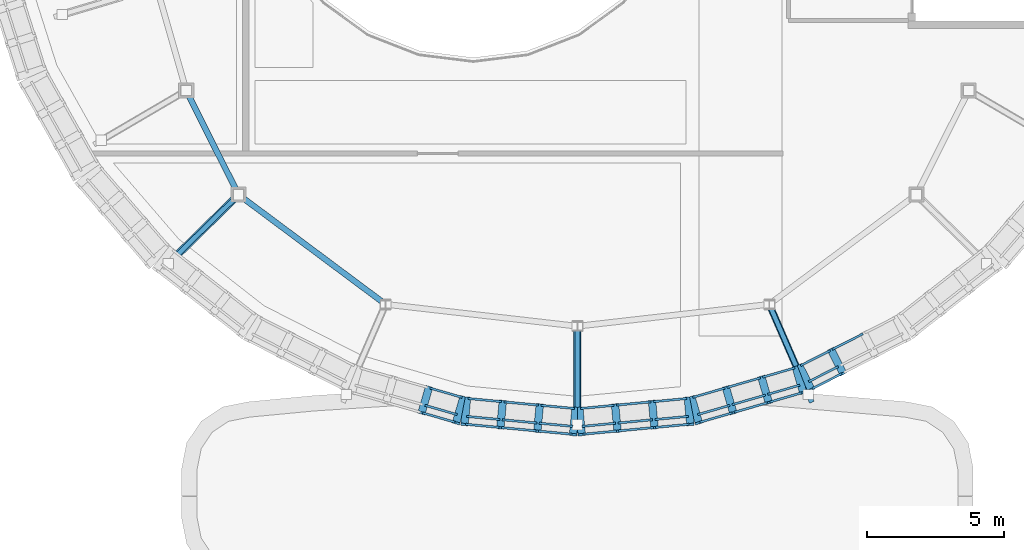
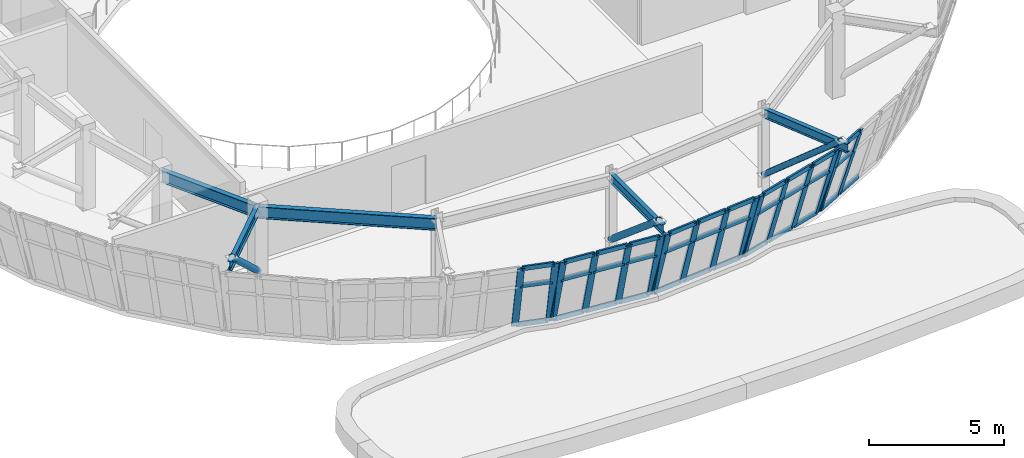
# One storey, part 19 of 111: 53 members, 5 beams, 5 elements without a shape of their own.
"""IFC4 building model written with IfcOpenShell, lengths in metres."""

from ifc_helpers import new_model, si_unit, direction, frame, origin, origin_2d, place, context, subcontext, project, spatial, rectangle, hollow_circle, i_section, extrude, material, material_profile, profile_set, type_object, element, aggregate, save


model = new_model("IFC4")

# Units and contexts
model_context = context("Model", 3, precision=1e-05, world=origin(), true_north=direction((0.0, 1.0)))
body_context = subcontext(model_context, "Body", "Model", "MODEL_VIEW")
ifc_project = project(units=[si_unit("LENGTHUNIT", "METRE"), si_unit("AREAUNIT", "SQUARE_METRE"), si_unit("VOLUMEUNIT", "CUBIC_METRE"), si_unit("PLANEANGLEUNIT", "RADIAN"), si_unit("MASSUNIT", "GRAM", prefix="KILO")], contexts=[model_context])

# Site, building, storey
site_placement = place(None, origin())
site = spatial("IfcSite", under=ifc_project, at=site_placement, CompositionType="ELEMENT")
building_placement = place(site_placement, origin())
building = spatial("IfcBuilding", under=site, at=building_placement, Name="Corveleigh Park Community Centre", CompositionType="ELEMENT")
storey_placement = place(building_placement, frame((0.0, 0.0, 4.800048828125)))
storey = spatial("IfcBuildingStorey", under=building, at=storey_placement, Name="L01", CompositionType="ELEMENT", Elevation=4.800048828125)

# Beams
ifc_material_1 = material(Name="Steel S355", Category="steel")
ifc_material_profile_1 = material_profile(ifc_material_1, i_section(OverallWidth=0.1787109375, OverallDepth=0.409423828125, WebThickness=0.0087890625, FlangeThickness=0.014404296875, at=origin_2d()), Name="UKB 406x178x67", Category="steel")
ifc_profile_set_1 = profile_set([ifc_material_profile_1], Name="Steel S355")
beam_type_1 = type_object("IfcBeamType", Name="BM-STL-UKB406x67", PredefinedType="BEAM", material=ifc_profile_set_1)
beam_1_placement = place(storey_placement, frame((31.0, 10.590087890625, 3.482177734375), z_axis=(0.0, -1.0, 0.0), x_axis=(1.0, 0.0, 0.0)))
element("IfcBeam", 1, at=beam_1_placement, inside=storey, type_object=beam_type_1, Name="V1 Drum Overhang Radial Outrigger 2", PredefinedType="BEAM", context=body_context, shape_type="SweptSolid", body=[
    extrude(i_section(OverallWidth=0.1787109375, OverallDepth=0.409423828125, WebThickness=0.0087890625, FlangeThickness=0.014404296875, at=origin_2d()), origin(), (0.0, 0.0, 1.0), 3.89013671875),
])
beam_2_placement = place(storey_placement, frame((38.00390625, 11.390869140625, 3.482177734375), z_axis=(0.398255557159, -0.917274501549, 0.0), x_axis=(0.917274501549, 0.398255557159, 0.0)))
element("IfcBeam", 2, at=beam_2_placement, inside=storey, type_object=beam_type_1, Name="V1 Drum Overhang Radial Outrigger 3", PredefinedType="BEAM", context=body_context, shape_type="SweptSolid", body=[
    extrude(i_section(OverallWidth=0.1787109375, OverallDepth=0.409423828125, WebThickness=0.0087890625, FlangeThickness=0.014404296875, at=origin_2d()), origin(), (0.0, 0.0, 1.0), 3.8896484375),
])
beam_3_placement = place(storey_placement, frame((18.626953125, 15.39306640625, 3.482177734375), z_axis=(-0.713355146879, -0.700802707202, 0.0), x_axis=(0.700802707202, -0.713355146879, 0.0)))
element("IfcBeam", 3, at=beam_3_placement, inside=storey, type_object=beam_type_1, Name="V1 Drum Overhang Radial Outrigger 20", PredefinedType="BEAM", context=body_context, shape_type="SweptSolid", body=[
    extrude(i_section(OverallWidth=0.1787109375, OverallDepth=0.409423828125, WebThickness=0.0087890625, FlangeThickness=0.014404296875, at=origin_2d()), origin(), (0.0, 0.0, 1.0), 3.889892578125),
])
ifc_material_profile_2 = material_profile(ifc_material_1, i_section(OverallWidth=0.210693359375, OverallDepth=0.53955078125, WebThickness=0.01171875, FlangeThickness=0.018798828125, at=origin_2d()), Name="UKB 533x210x109", Category="steel")
ifc_profile_set_2 = profile_set([ifc_material_profile_2], Name="Steel S355")
beam_type_2 = type_object("IfcBeamType", Name="BM-STL-UKB533x109", PredefinedType="BEAM", material=ifc_profile_set_2)
beam_4_placement = place(storey_placement, frame((16.727294921875, 19.195556640625, 3.34228515625), z_axis=(0.448916145361, -0.893573888626, 0.0), x_axis=(0.893573888626, 0.448916145361, 0.0)))
element("IfcBeam", 4, at=beam_4_placement, inside=storey, type_object=beam_type_2, Name="V1 Drum Ring Girder", PredefinedType="BEAM", context=body_context, shape_type="SweptSolid", body=[
    extrude(i_section(OverallWidth=0.210693359375, OverallDepth=0.53955078125, WebThickness=0.01171875, FlangeThickness=0.018798828125, at=origin_2d()), origin(), (0.0, 0.0, 1.0), 4.242431640625),
])
beam_5_placement = place(storey_placement, frame((18.637939453125, 15.39697265625, 3.34228515625), z_axis=(0.801771961873, -0.597630087223, 0.0), x_axis=(0.597630087223, 0.801771961873, 0.0)))
element("IfcBeam", 5, at=beam_5_placement, inside=storey, type_object=beam_type_2, Name="V1 Drum Ring Girder", PredefinedType="BEAM", context=body_context, shape_type="SweptSolid", body=[
    extrude(i_section(OverallWidth=0.210693359375, OverallDepth=0.53955078125, WebThickness=0.01171875, FlangeThickness=0.018798828125, at=origin_2d()), origin(), (0.0, 0.0, 1.0), 6.682861328125),
])

# Curtain wall, members
ifc_material_2 = material(Name="Anodised aluminium 6063-T6", Category="aluminium")
curtain_wall_type = type_object("IfcCurtainWallType", Name="CW-SYS-V1-DRUM", PredefinedType="NOTDEFINED", material=ifc_material_2)
curtain_wall_1_placement = place(storey_placement, origin())
curtain_wall_1 = element("IfcCurtainWall", 6, at=curtain_wall_1_placement, inside=storey, type_object=curtain_wall_type, Name="Main Hall Flared Drum CW 184", PredefinedType="NOTDEFINED")
ifc_material_profile_3 = material_profile(ifc_material_2, rectangle(XDim=0.0849609375, YDim=0.27490234375, at=origin_2d()), Name="ALU-M85x275", Category="aluminium")
ifc_profile_set_3 = profile_set([ifc_material_profile_3], Name="Anodised aluminium 6063-T6")
member_type_1 = type_object("IfcMemberType", Name="CWM-85x275", PredefinedType="MULLION", material=ifc_profile_set_3)
member_1_placement = place(storey_placement, frame((25.58203125, 8.36572265625, 0.0), z_axis=(-0.078775805261, -0.27274061785, 0.958857094608), x_axis=(0.266071208259, 0.92120195398, 0.283889189861)))
member_1 = element("IfcMember", 7, at=member_1_placement, type_object=member_type_1, Name="CW02 mullion 3", PredefinedType="MULLION", context=body_context, shape_type="SweptSolid", body=[
    extrude(rectangle(XDim=0.0849609375, YDim=0.27490234375, at=origin_2d()), origin(), (0.0, 0.0, 1.0), 3.406005859375),
])
member_2_placement = place(storey_placement, frame((26.838134765625, 8.002685546875, 0.0), z_axis=(-0.078775805261, -0.27274061785, 0.958857094608), x_axis=(0.266071208259, 0.92120195398, 0.283889189861)))
member_2 = element("IfcMember", 8, at=member_2_placement, type_object=member_type_1, Name="CW02 mullion 4", PredefinedType="MULLION", context=body_context, shape_type="SweptSolid", body=[
    extrude(rectangle(XDim=0.0849609375, YDim=0.27490234375, at=origin_2d()), origin(), (0.0, 0.0, 1.0), 3.406005859375),
])

curtain_wall_2_placement = place(storey_placement, origin())
curtain_wall_2 = element("IfcCurtainWall", 9, at=curtain_wall_2_placement, inside=storey, type_object=curtain_wall_type, Name="Main Hall Flared Drum CW 185", PredefinedType="NOTDEFINED")
member_3_placement = place(storey_placement, frame((26.97021484375, 7.97802734375, 0.0), z_axis=(-0.026521540963, -0.282633610853, 0.958861225559), x_axis=(0.089583288595, 0.954667316025, 0.283875236889)))
member_3 = element("IfcMember", 10, at=member_3_placement, type_object=member_type_1, Name="CW02 mullion 1", PredefinedType="MULLION", context=body_context, shape_type="SweptSolid", body=[
    extrude(rectangle(XDim=0.0849609375, YDim=0.27490234375, at=origin_2d()), origin(), (0.0, 0.0, 1.0), 3.406005859375),
])
member_4_placement = place(storey_placement, frame((28.277099609375, 7.855224609375, 0.0), z_axis=(-0.02659317018, -0.282633072825, 0.958859400249), x_axis=(0.089823112769, 0.954642947838, 0.28388140227)))
member_4 = element("IfcMember", 11, at=member_4_placement, type_object=member_type_1, Name="CW02 mullion 2", PredefinedType="MULLION", context=body_context, shape_type="SweptSolid", body=[
    extrude(rectangle(XDim=0.0849609375, YDim=0.27490234375, at=origin_2d()), origin(), (0.0, 0.0, 1.0), 3.406005859375),
])
member_5_placement = place(storey_placement, frame((29.6259765625, 7.728759765625, 0.0), z_axis=(-0.026521003607, -0.282699562777, 0.95884179799), x_axis=(0.089558958365, 0.954650085921, 0.283940850226)))
member_5 = element("IfcMember", 12, at=member_5_placement, type_object=member_type_1, Name="CW02 mullion 3", PredefinedType="MULLION", context=body_context, shape_type="SweptSolid", body=[
    extrude(rectangle(XDim=0.0849609375, YDim=0.27490234375, at=origin_2d()), origin(), (0.0, 0.0, 1.0), 3.406005859375),
])
member_6_placement = place(storey_placement, frame((30.9326171875, 7.60595703125, 0.0), z_axis=(-0.026521540963, -0.282633610853, 0.958861225559), x_axis=(0.089583288595, 0.954667316025, 0.283875236889)))
member_6 = element("IfcMember", 13, at=member_6_placement, type_object=member_type_1, Name="CW02 mullion 4", PredefinedType="MULLION", context=body_context, shape_type="SweptSolid", body=[
    extrude(rectangle(XDim=0.0849609375, YDim=0.27490234375, at=origin_2d()), origin(), (0.0, 0.0, 1.0), 3.406005859375),
])

curtain_wall_3_placement = place(storey_placement, origin())
curtain_wall_3 = element("IfcCurtainWall", 14, at=curtain_wall_3_placement, inside=storey, type_object=curtain_wall_type, Name="Main Hall Flared Drum CW 186", PredefinedType="NOTDEFINED")
member_7_placement = place(storey_placement, frame((31.0673828125, 7.60595703125, 0.0), z_axis=(0.026521540963, -0.282633610853, 0.958861225559), x_axis=(-0.089583288595, 0.954667316025, 0.283875236889)))
member_7 = element("IfcMember", 15, at=member_7_placement, type_object=member_type_1, Name="CW02 mullion 1", PredefinedType="MULLION", context=body_context, shape_type="SweptSolid", body=[
    extrude(rectangle(XDim=0.0849609375, YDim=0.27490234375, at=origin_2d()), origin(), (0.0, 0.0, 1.0), 3.406005859375),
])
member_8_placement = place(storey_placement, frame((32.3740234375, 7.728759765625, 0.0), z_axis=(0.026521003607, -0.282699562777, 0.95884179799), x_axis=(-0.089558958365, 0.954650085921, 0.283940850226)))
member_8 = element("IfcMember", 16, at=member_8_placement, type_object=member_type_1, Name="CW02 mullion 2", PredefinedType="MULLION", context=body_context, shape_type="SweptSolid", body=[
    extrude(rectangle(XDim=0.0849609375, YDim=0.27490234375, at=origin_2d()), origin(), (0.0, 0.0, 1.0), 3.406005859375),
])
member_9_placement = place(storey_placement, frame((33.722900390625, 7.855224609375, 0.0), z_axis=(0.02659317018, -0.282633072825, 0.958859400249), x_axis=(-0.089823112769, 0.954642947838, 0.28388140227)))
member_9 = element("IfcMember", 17, at=member_9_placement, type_object=member_type_1, Name="CW02 mullion 3", PredefinedType="MULLION", context=body_context, shape_type="SweptSolid", body=[
    extrude(rectangle(XDim=0.0849609375, YDim=0.27490234375, at=origin_2d()), origin(), (0.0, 0.0, 1.0), 3.406005859375),
])
member_10_placement = place(storey_placement, frame((35.02978515625, 7.97802734375, 0.0), z_axis=(0.026521540963, -0.282633610853, 0.958861225559), x_axis=(-0.089583288595, 0.954667316025, 0.283875236889)))
member_10 = element("IfcMember", 18, at=member_10_placement, type_object=member_type_1, Name="CW02 mullion 4", PredefinedType="MULLION", context=body_context, shape_type="SweptSolid", body=[
    extrude(rectangle(XDim=0.0849609375, YDim=0.27490234375, at=origin_2d()), origin(), (0.0, 0.0, 1.0), 3.406005859375),
])

curtain_wall_4_placement = place(storey_placement, origin())
curtain_wall_4 = element("IfcCurtainWall", 19, at=curtain_wall_4_placement, inside=storey, type_object=curtain_wall_type, Name="Main Hall Flared Drum CW 187", PredefinedType="NOTDEFINED")
member_11_placement = place(storey_placement, frame((35.161865234375, 8.002685546875, 0.0), z_axis=(0.078775805261, -0.27274061785, 0.958857094608), x_axis=(-0.266071208259, 0.92120195398, 0.283889189861)))
member_11 = element("IfcMember", 20, at=member_11_placement, type_object=member_type_1, Name="CW02 mullion 1", PredefinedType="MULLION", context=body_context, shape_type="SweptSolid", body=[
    extrude(rectangle(XDim=0.0849609375, YDim=0.27490234375, at=origin_2d()), origin(), (0.0, 0.0, 1.0), 3.406005859375),
])
member_12_placement = place(storey_placement, frame((36.41796875, 8.36572265625, 0.0), z_axis=(0.078775805261, -0.27274061785, 0.958857094608), x_axis=(-0.266071208259, 0.92120195398, 0.283889189861)))
member_12 = element("IfcMember", 21, at=member_12_placement, type_object=member_type_1, Name="CW02 mullion 2", PredefinedType="MULLION", context=body_context, shape_type="SweptSolid", body=[
    extrude(rectangle(XDim=0.0849609375, YDim=0.27490234375, at=origin_2d()), origin(), (0.0, 0.0, 1.0), 3.406005859375),
])
member_13_placement = place(storey_placement, frame((37.715087890625, 8.740234375, 0.0), z_axis=(0.078775805261, -0.27274061785, 0.958857094608), x_axis=(-0.266071208259, 0.92120195398, 0.283889189861)))
member_13 = element("IfcMember", 22, at=member_13_placement, type_object=member_type_1, Name="CW02 mullion 3", PredefinedType="MULLION", context=body_context, shape_type="SweptSolid", body=[
    extrude(rectangle(XDim=0.0849609375, YDim=0.27490234375, at=origin_2d()), origin(), (0.0, 0.0, 1.0), 3.406005859375),
])
member_14_placement = place(storey_placement, frame((38.97119140625, 9.103271484375, 0.0), z_axis=(0.078774265043, -0.272806963379, 0.958838347115), x_axis=(-0.266001479913, 0.921202577386, 0.283952503249)))
member_14 = element("IfcMember", 23, at=member_14_placement, type_object=member_type_1, Name="CW02 mullion 4", PredefinedType="MULLION", context=body_context, shape_type="SweptSolid", body=[
    extrude(rectangle(XDim=0.0849609375, YDim=0.27490234375, at=origin_2d()), origin(), (0.0, 0.0, 1.0), 3.406005859375),
])

curtain_wall_5_placement = place(storey_placement, origin())
curtain_wall_5 = element("IfcCurtainWall", 24, at=curtain_wall_5_placement, inside=storey, type_object=curtain_wall_type, Name="Main Hall Flared Drum CW 188", PredefinedType="NOTDEFINED")
member_15_placement = place(storey_placement, frame((39.095947265625, 9.15234375, 0.0), z_axis=(0.128806701095, -0.25302596264, 0.958846544544), x_axis=(-0.434994939137, 0.854497571037, 0.283924821065)))
member_15 = element("IfcMember", 25, at=member_15_placement, type_object=member_type_1, Name="CW02 mullion 1", PredefinedType="MULLION", context=body_context, shape_type="SweptSolid", body=[
    extrude(rectangle(XDim=0.0849609375, YDim=0.27490234375, at=origin_2d()), origin(), (0.0, 0.0, 1.0), 3.406005859375),
])
member_16_placement = place(storey_placement, frame((40.253662109375, 9.741943359375, 0.0), z_axis=(0.128879526709, -0.252956534902, 0.958855077186), x_axis=(-0.435288932885, 0.854357421664, 0.283896003766)))
member_16 = element("IfcMember", 26, at=member_16_placement, type_object=member_type_1, Name="CW02 mullion 2", PredefinedType="MULLION", context=body_context, shape_type="SweptSolid", body=[
    extrude(rectangle(XDim=0.0849609375, YDim=0.27490234375, at=origin_2d()), origin(), (0.0, 0.0, 1.0), 3.406005859375),
])

# Member
ifc_material_profile_4 = material_profile(ifc_material_2, rectangle(XDim=0.080078125, YDim=0.195068359375, at=origin_2d()), Name="ALU-T80x195", Category="aluminium")
ifc_profile_set_4 = profile_set([ifc_material_profile_4], Name="Anodised aluminium 6063-T6")
member_type_2 = type_object("IfcMemberType", Name="CWT-80x195", PredefinedType="USERDEFINED", material=ifc_profile_set_4)
member_17_placement = place(storey_placement, frame((25.61962890625, 8.342529296875, 0.0400390625), z_axis=(0.960690510607, -0.277621582067, 0.0), x_axis=(0.277621582067, 0.960690510607, 0.0)))
member_17 = element("IfcMember", 27, at=member_17_placement, type_object=member_type_2, Name="CW02 transom 3.1", ObjectType="TRANSOM", PredefinedType="USERDEFINED", context=body_context, shape_type="SweptSolid", body=[
    extrude(rectangle(XDim=0.080078125, YDim=0.195068359375, at=origin_2d()), origin(), (0.0, 0.0, 1.0), 1.222412109375),
])

member_18_placement = place(storey_placement, frame((25.43798828125, 7.7138671875, 2.25), z_axis=(0.960705899943, -0.277568322786, 0.0), x_axis=(0.277568322786, 0.960705899943, 0.0)))
member_18 = element("IfcMember", 28, at=member_18_placement, type_object=member_type_2, Name="CW02 transom 3.2", ObjectType="TRANSOM", PredefinedType="USERDEFINED", context=body_context, shape_type="SweptSolid", body=[
    extrude(rectangle(XDim=0.080078125, YDim=0.195068359375, at=origin_2d()), origin(), (0.0, 0.0, 1.0), 1.22265625),
])

member_19_placement = place(storey_placement, frame((25.357666015625, 7.436279296875, 3.225830078125), z_axis=(0.960705899943, -0.277568322786, 0.0), x_axis=(0.277568322786, 0.960705899943, 0.0)))
member_19 = element("IfcMember", 29, at=member_19_placement, type_object=member_type_2, Name="CW02 transom 3.3", ObjectType="TRANSOM", PredefinedType="USERDEFINED", context=body_context, shape_type="SweptSolid", body=[
    extrude(rectangle(XDim=0.080078125, YDim=0.195068359375, at=origin_2d()), origin(), (0.0, 0.0, 1.0), 1.22265625),
])

aggregate(curtain_wall_1, [member_1, member_2, member_17, member_18, member_19])

member_20_placement = place(storey_placement, frame((27.011474609375, 7.962158203125, 0.0400390625), z_axis=(0.995621509716, -0.093476250413, 0.0), x_axis=(0.093476250413, 0.995621509716, 0.0)))
member_20 = element("IfcMember", 30, at=member_20_placement, type_object=member_type_2, Name="CW02 transom 1.1", ObjectType="TRANSOM", PredefinedType="USERDEFINED", context=body_context, shape_type="SweptSolid", body=[
    extrude(rectangle(XDim=0.080078125, YDim=0.195068359375, at=origin_2d()), origin(), (0.0, 0.0, 1.0), 1.2275390625),
])

member_21_placement = place(storey_placement, frame((26.950439453125, 7.310791015625, 2.25), z_axis=(0.995619771375, -0.093494763745, 0.0), x_axis=(0.093494763745, 0.995619771375, 0.0)))
member_21 = element("IfcMember", 31, at=member_21_placement, type_object=member_type_2, Name="CW02 transom 1.2", ObjectType="TRANSOM", PredefinedType="USERDEFINED", context=body_context, shape_type="SweptSolid", body=[
    extrude(rectangle(XDim=0.080078125, YDim=0.195068359375, at=origin_2d()), origin(), (0.0, 0.0, 1.0), 1.227294921875),
])

member_22_placement = place(storey_placement, frame((26.92333984375, 7.023193359375, 3.225830078125), z_axis=(0.995621509716, -0.093476250413, 0.0), x_axis=(0.093476250413, 0.995621509716, 0.0)))
member_22 = element("IfcMember", 32, at=member_22_placement, type_object=member_type_2, Name="CW02 transom 1.3", ObjectType="TRANSOM", PredefinedType="USERDEFINED", context=body_context, shape_type="SweptSolid", body=[
    extrude(rectangle(XDim=0.080078125, YDim=0.195068359375, at=origin_2d()), origin(), (0.0, 0.0, 1.0), 1.2275390625),
])

member_23_placement = place(storey_placement, frame((28.318115234375, 7.839599609375, 0.0400390625), z_axis=(0.995625847483, -0.093430037049, 0.0), x_axis=(0.093430037049, 0.995625847483, 0.0)))
member_23 = element("IfcMember", 33, at=member_23_placement, type_object=member_type_2, Name="CW02 transom 2.1", ObjectType="TRANSOM", PredefinedType="USERDEFINED", context=body_context, shape_type="SweptSolid", body=[
    extrude(rectangle(XDim=0.080078125, YDim=0.195068359375, at=origin_2d()), origin(), (0.0, 0.0, 1.0), 1.27001953125),
])

member_24_placement = place(storey_placement, frame((28.257080078125, 7.18798828125, 2.25), z_axis=(0.995625847483, -0.093430037049, 0.0), x_axis=(0.093430037049, 0.995625847483, 0.0)))
member_24 = element("IfcMember", 34, at=member_24_placement, type_object=member_type_2, Name="CW02 transom 2.2", ObjectType="TRANSOM", PredefinedType="USERDEFINED", context=body_context, shape_type="SweptSolid", body=[
    extrude(rectangle(XDim=0.080078125, YDim=0.195068359375, at=origin_2d()), origin(), (0.0, 0.0, 1.0), 1.27001953125),
])

member_25_placement = place(storey_placement, frame((28.22998046875, 6.900390625, 3.225830078125), z_axis=(0.995625847483, -0.093430037049, 0.0), x_axis=(0.093430037049, 0.995625847483, 0.0)))
member_25 = element("IfcMember", 35, at=member_25_placement, type_object=member_type_2, Name="CW02 transom 2.3", ObjectType="TRANSOM", PredefinedType="USERDEFINED", context=body_context, shape_type="SweptSolid", body=[
    extrude(rectangle(XDim=0.080078125, YDim=0.195068359375, at=origin_2d()), origin(), (0.0, 0.0, 1.0), 1.27001953125),
])

member_26_placement = place(storey_placement, frame((29.667236328125, 7.712890625, 0.0400390625), z_axis=(0.995619771375, -0.093494763745, 0.0), x_axis=(0.093494763745, 0.995619771375, 0.0)))
member_26 = element("IfcMember", 36, at=member_26_placement, type_object=member_type_2, Name="CW02 transom 3.1", ObjectType="TRANSOM", PredefinedType="USERDEFINED", context=body_context, shape_type="SweptSolid", body=[
    extrude(rectangle(XDim=0.080078125, YDim=0.195068359375, at=origin_2d()), origin(), (0.0, 0.0, 1.0), 1.227294921875),
])

member_27_placement = place(storey_placement, frame((29.60595703125, 7.0615234375, 2.25), z_axis=(0.995621509716, -0.093476250413, 0.0), x_axis=(0.093476250413, 0.995621509716, 0.0)))
member_27 = element("IfcMember", 37, at=member_27_placement, type_object=member_type_2, Name="CW02 transom 3.2", ObjectType="TRANSOM", PredefinedType="USERDEFINED", context=body_context, shape_type="SweptSolid", body=[
    extrude(rectangle(XDim=0.080078125, YDim=0.195068359375, at=origin_2d()), origin(), (0.0, 0.0, 1.0), 1.2275390625),
])

member_28_placement = place(storey_placement, frame((29.5791015625, 6.773681640625, 3.225830078125), z_axis=(0.995619771375, -0.093494763745, 0.0), x_axis=(0.093494763745, 0.995619771375, 0.0)))
member_28 = element("IfcMember", 38, at=member_28_placement, type_object=member_type_2, Name="CW02 transom 3.3", ObjectType="TRANSOM", PredefinedType="USERDEFINED", context=body_context, shape_type="SweptSolid", body=[
    extrude(rectangle(XDim=0.080078125, YDim=0.195068359375, at=origin_2d()), origin(), (0.0, 0.0, 1.0), 1.227294921875),
])

aggregate(curtain_wall_2, [member_3, member_4, member_5, member_6, member_20, member_21, member_22, member_23, member_24, member_25, member_26, member_27, member_28])

member_29_placement = place(storey_placement, frame((31.11083984375, 7.59814453125, 0.0400390625), z_axis=(0.995619771375, 0.093494763745, 0.0), x_axis=(-0.093494763745, 0.995619771375, 0.0)))
member_29 = element("IfcMember", 39, at=member_29_placement, type_object=member_type_2, Name="CW02 transom 1.1", ObjectType="TRANSOM", PredefinedType="USERDEFINED", context=body_context, shape_type="SweptSolid", body=[
    extrude(rectangle(XDim=0.080078125, YDim=0.195068359375, at=origin_2d()), origin(), (0.0, 0.0, 1.0), 1.227294921875),
])

member_30_placement = place(storey_placement, frame((31.171875, 6.94677734375, 2.25), z_axis=(0.995621509716, 0.093476250413, 0.0), x_axis=(-0.093476250413, 0.995621509716, 0.0)))
member_30 = element("IfcMember", 40, at=member_30_placement, type_object=member_type_2, Name="CW02 transom 1.2", ObjectType="TRANSOM", PredefinedType="USERDEFINED", context=body_context, shape_type="SweptSolid", body=[
    extrude(rectangle(XDim=0.080078125, YDim=0.195068359375, at=origin_2d()), origin(), (0.0, 0.0, 1.0), 1.2275390625),
])

member_31_placement = place(storey_placement, frame((31.198974609375, 6.658935546875, 3.225830078125), z_axis=(0.995619771375, 0.093494763745, 0.0), x_axis=(-0.093494763745, 0.995619771375, 0.0)))
member_31 = element("IfcMember", 41, at=member_31_placement, type_object=member_type_2, Name="CW02 transom 1.3", ObjectType="TRANSOM", PredefinedType="USERDEFINED", context=body_context, shape_type="SweptSolid", body=[
    extrude(rectangle(XDim=0.080078125, YDim=0.195068359375, at=origin_2d()), origin(), (0.0, 0.0, 1.0), 1.227294921875),
])

member_32_placement = place(storey_placement, frame((32.41748046875, 7.720947265625, 0.0400390625), z_axis=(0.995625847483, 0.093430037049, 0.0), x_axis=(-0.093430037049, 0.995625847483, 0.0)))
member_32 = element("IfcMember", 42, at=member_32_placement, type_object=member_type_2, Name="CW02 transom 2.1", ObjectType="TRANSOM", PredefinedType="USERDEFINED", context=body_context, shape_type="SweptSolid", body=[
    extrude(rectangle(XDim=0.080078125, YDim=0.195068359375, at=origin_2d()), origin(), (0.0, 0.0, 1.0), 1.27001953125),
])

member_33_placement = place(storey_placement, frame((32.478515625, 7.0693359375, 2.25), z_axis=(0.995625847483, 0.093430037049, 0.0), x_axis=(-0.093430037049, 0.995625847483, 0.0)))
member_33 = element("IfcMember", 43, at=member_33_placement, type_object=member_type_2, Name="CW02 transom 2.2", ObjectType="TRANSOM", PredefinedType="USERDEFINED", context=body_context, shape_type="SweptSolid", body=[
    extrude(rectangle(XDim=0.080078125, YDim=0.195068359375, at=origin_2d()), origin(), (0.0, 0.0, 1.0), 1.27001953125),
])

member_34_placement = place(storey_placement, frame((32.505615234375, 6.78173828125, 3.225830078125), z_axis=(0.995625847483, 0.093430037049, 0.0), x_axis=(-0.093430037049, 0.995625847483, 0.0)))
member_34 = element("IfcMember", 44, at=member_34_placement, type_object=member_type_2, Name="CW02 transom 2.3", ObjectType="TRANSOM", PredefinedType="USERDEFINED", context=body_context, shape_type="SweptSolid", body=[
    extrude(rectangle(XDim=0.080078125, YDim=0.195068359375, at=origin_2d()), origin(), (0.0, 0.0, 1.0), 1.27001953125),
])

member_35_placement = place(storey_placement, frame((33.766357421875, 7.847412109375, 0.0400390625), z_axis=(0.995621509716, 0.093476250413, 0.0), x_axis=(-0.093476250413, 0.995621509716, 0.0)))
member_35 = element("IfcMember", 45, at=member_35_placement, type_object=member_type_2, Name="CW02 transom 3.1", ObjectType="TRANSOM", PredefinedType="USERDEFINED", context=body_context, shape_type="SweptSolid", body=[
    extrude(rectangle(XDim=0.080078125, YDim=0.195068359375, at=origin_2d()), origin(), (0.0, 0.0, 1.0), 1.2275390625),
])

member_36_placement = place(storey_placement, frame((33.82763671875, 7.196044921875, 2.25), z_axis=(0.995619771375, 0.093494763745, 0.0), x_axis=(-0.093494763745, 0.995619771375, 0.0)))
member_36 = element("IfcMember", 46, at=member_36_placement, type_object=member_type_2, Name="CW02 transom 3.2", ObjectType="TRANSOM", PredefinedType="USERDEFINED", context=body_context, shape_type="SweptSolid", body=[
    extrude(rectangle(XDim=0.080078125, YDim=0.195068359375, at=origin_2d()), origin(), (0.0, 0.0, 1.0), 1.227294921875),
])

member_37_placement = place(storey_placement, frame((33.8544921875, 6.908447265625, 3.225830078125), z_axis=(0.995621509716, 0.093476250413, 0.0), x_axis=(-0.093476250413, 0.995621509716, 0.0)))
member_37 = element("IfcMember", 47, at=member_37_placement, type_object=member_type_2, Name="CW02 transom 3.3", ObjectType="TRANSOM", PredefinedType="USERDEFINED", context=body_context, shape_type="SweptSolid", body=[
    extrude(rectangle(XDim=0.080078125, YDim=0.195068359375, at=origin_2d()), origin(), (0.0, 0.0, 1.0), 1.2275390625),
])

aggregate(curtain_wall_3, [member_7, member_8, member_9, member_10, member_29, member_30, member_31, member_32, member_33, member_34, member_35, member_36, member_37])

member_38_placement = place(storey_placement, frame((35.2060546875, 8.003173828125, 0.0400390625), z_axis=(0.960690510607, 0.277621582067, 0.0), x_axis=(-0.277621582067, 0.960690510607, 0.0)))
member_38 = element("IfcMember", 48, at=member_38_placement, type_object=member_type_2, Name="CW02 transom 1.1", ObjectType="TRANSOM", PredefinedType="USERDEFINED", context=body_context, shape_type="SweptSolid", body=[
    extrude(rectangle(XDim=0.080078125, YDim=0.195068359375, at=origin_2d()), origin(), (0.0, 0.0, 1.0), 1.222412109375),
])

member_39_placement = place(storey_placement, frame((35.387451171875, 7.37451171875, 2.25), z_axis=(0.960705899943, 0.277568322786, 0.0), x_axis=(-0.277568322786, 0.960705899943, 0.0)))
member_39 = element("IfcMember", 49, at=member_39_placement, type_object=member_type_2, Name="CW02 transom 1.2", ObjectType="TRANSOM", PredefinedType="USERDEFINED", context=body_context, shape_type="SweptSolid", body=[
    extrude(rectangle(XDim=0.080078125, YDim=0.195068359375, at=origin_2d()), origin(), (0.0, 0.0, 1.0), 1.22265625),
])

member_40_placement = place(storey_placement, frame((35.4677734375, 7.096923828125, 3.225830078125), z_axis=(0.960705899943, 0.277568322786, 0.0), x_axis=(-0.277568322786, 0.960705899943, 0.0)))
member_40 = element("IfcMember", 50, at=member_40_placement, type_object=member_type_2, Name="CW02 transom 1.3", ObjectType="TRANSOM", PredefinedType="USERDEFINED", context=body_context, shape_type="SweptSolid", body=[
    extrude(rectangle(XDim=0.080078125, YDim=0.195068359375, at=origin_2d()), origin(), (0.0, 0.0, 1.0), 1.22265625),
])

member_41_placement = place(storey_placement, frame((36.462158203125, 8.365966796875, 0.0400390625), z_axis=(0.960718756836, 0.277523819271, 0.0), x_axis=(-0.277523819271, 0.960718756836, 0.0)))
member_41 = element("IfcMember", 51, at=member_41_placement, type_object=member_type_2, Name="CW02 transom 2.1", ObjectType="TRANSOM", PredefinedType="USERDEFINED", context=body_context, shape_type="SweptSolid", body=[
    extrude(rectangle(XDim=0.080078125, YDim=0.195068359375, at=origin_2d()), origin(), (0.0, 0.0, 1.0), 1.26513671875),
])

member_42_placement = place(storey_placement, frame((36.643798828125, 7.737548828125, 2.25), z_axis=(0.960718756836, 0.277523819271, 0.0), x_axis=(-0.277523819271, 0.960718756836, 0.0)))
member_42 = element("IfcMember", 52, at=member_42_placement, type_object=member_type_2, Name="CW02 transom 2.2", ObjectType="TRANSOM", PredefinedType="USERDEFINED", context=body_context, shape_type="SweptSolid", body=[
    extrude(rectangle(XDim=0.080078125, YDim=0.195068359375, at=origin_2d()), origin(), (0.0, 0.0, 1.0), 1.26513671875),
])

member_43_placement = place(storey_placement, frame((36.723876953125, 7.459716796875, 3.225830078125), z_axis=(0.960718756836, 0.277523819271, 0.0), x_axis=(-0.277523819271, 0.960718756836, 0.0)))
member_43 = element("IfcMember", 53, at=member_43_placement, type_object=member_type_2, Name="CW02 transom 2.3", ObjectType="TRANSOM", PredefinedType="USERDEFINED", context=body_context, shape_type="SweptSolid", body=[
    extrude(rectangle(XDim=0.080078125, YDim=0.195068359375, at=origin_2d()), origin(), (0.0, 0.0, 1.0), 1.26513671875),
])

member_44_placement = place(storey_placement, frame((37.759033203125, 8.74072265625, 0.0400390625), z_axis=(0.960705899943, 0.277568322786, 0.0), x_axis=(-0.277568322786, 0.960705899943, 0.0)))
member_44 = element("IfcMember", 54, at=member_44_placement, type_object=member_type_2, Name="CW02 transom 3.1", ObjectType="TRANSOM", PredefinedType="USERDEFINED", context=body_context, shape_type="SweptSolid", body=[
    extrude(rectangle(XDim=0.080078125, YDim=0.195068359375, at=origin_2d()), origin(), (0.0, 0.0, 1.0), 1.22265625),
])

member_45_placement = place(storey_placement, frame((37.940673828125, 8.112060546875, 2.25), z_axis=(0.960705899943, 0.277568322786, 0.0), x_axis=(-0.277568322786, 0.960705899943, 0.0)))
member_45 = element("IfcMember", 55, at=member_45_placement, type_object=member_type_2, Name="CW02 transom 3.2", ObjectType="TRANSOM", PredefinedType="USERDEFINED", context=body_context, shape_type="SweptSolid", body=[
    extrude(rectangle(XDim=0.080078125, YDim=0.195068359375, at=origin_2d()), origin(), (0.0, 0.0, 1.0), 1.22265625),
])

member_46_placement = place(storey_placement, frame((38.02099609375, 7.83447265625, 3.225830078125), z_axis=(0.960690510607, 0.277621582067, 0.0), x_axis=(-0.277621582067, 0.960690510607, 0.0)))
member_46 = element("IfcMember", 56, at=member_46_placement, type_object=member_type_2, Name="CW02 transom 3.3", ObjectType="TRANSOM", PredefinedType="USERDEFINED", context=body_context, shape_type="SweptSolid", body=[
    extrude(rectangle(XDim=0.080078125, YDim=0.195068359375, at=origin_2d()), origin(), (0.0, 0.0, 1.0), 1.222412109375),
])

aggregate(curtain_wall_4, [member_11, member_12, member_13, member_14, member_38, member_39, member_40, member_41, member_42, member_43, member_44, member_45, member_46])

member_47_placement = place(storey_placement, frame((39.13916015625, 9.1611328125, 0.0400390625), z_axis=(0.891105466146, 0.453796262882, 0.0), x_axis=(-0.453796262882, 0.891105466146, 0.0)))
member_47 = element("IfcMember", 57, at=member_47_placement, type_object=member_type_2, Name="CW02 transom 1.1", ObjectType="TRANSOM", PredefinedType="USERDEFINED", context=body_context, shape_type="SweptSolid", body=[
    extrude(rectangle(XDim=0.080078125, YDim=0.195068359375, at=origin_2d()), origin(), (0.0, 0.0, 1.0), 1.21435546875),
])

member_48_placement = place(storey_placement, frame((39.43603515625, 8.577880859375, 2.25), z_axis=(0.891024153867, 0.453955897886, 0.0), x_axis=(-0.453955897886, 0.891024153867, 0.0)))
member_48 = element("IfcMember", 58, at=member_48_placement, type_object=member_type_2, Name="CW02 transom 1.2", ObjectType="TRANSOM", PredefinedType="USERDEFINED", context=body_context, shape_type="SweptSolid", body=[
    extrude(rectangle(XDim=0.080078125, YDim=0.195068359375, at=origin_2d()), origin(), (0.0, 0.0, 1.0), 1.21435546875),
])

member_49_placement = place(storey_placement, frame((39.567138671875, 8.320556640625, 3.225830078125), z_axis=(0.891146859868, 0.453714970161, 0.0), x_axis=(-0.453714970161, 0.891146859868, 0.0)))
member_49 = element("IfcMember", 59, at=member_49_placement, type_object=member_type_2, Name="CW02 transom 1.3", ObjectType="TRANSOM", PredefinedType="USERDEFINED", context=body_context, shape_type="SweptSolid", body=[
    extrude(rectangle(XDim=0.080078125, YDim=0.195068359375, at=origin_2d()), origin(), (0.0, 0.0, 1.0), 1.21435546875),
])

member_50_placement = place(storey_placement, frame((40.296875, 9.750732421875, 0.0400390625), z_axis=(0.89110027264, 0.453806461061, 0.0), x_axis=(-0.453806461061, 0.89110027264, 0.0)))
member_50 = element("IfcMember", 60, at=member_50_placement, type_object=member_type_2, Name="CW02 transom 2.1", ObjectType="TRANSOM", PredefinedType="USERDEFINED", context=body_context, shape_type="SweptSolid", body=[
    extrude(rectangle(XDim=0.080078125, YDim=0.195068359375, at=origin_2d()), origin(), (0.0, 0.0, 1.0), 1.2568359375),
])

aggregate(curtain_wall_5, [member_15, member_16, member_47, member_48, member_49, member_50])

# Members
ifc_material_profile_5 = material_profile(ifc_material_1, hollow_circle(Radius=0.122314453125, WallThickness=0.012451171875, at=origin_2d()), Name="CHS 244.5x12.5", Category="steel")
ifc_profile_set_5 = profile_set([ifc_material_profile_5], Name="Steel S355")
member_type_3 = type_object("IfcMemberType", Name="MEM-STR-CHS245", PredefinedType="STRUT", material=ifc_profile_set_5)
member_51_placement = place(storey_placement, frame((38.0, 11.39990234375, 0.64990234375), z_axis=(0.304282598437, -0.700790949416, 0.645216355578), x_axis=(0.917265754926, 0.398275702046, 0.0)))
element("IfcMember", 61, at=member_51_placement, inside=storey, type_object=member_type_3, Name="V1 Conical Overhang Raking Strut 3", PredefinedType="STRUT", context=body_context, shape_type="SweptSolid", body=[
    extrude(hollow_circle(Radius=0.122314453125, WallThickness=0.012451171875, at=origin_2d()), origin(), (0.0, 0.0, 1.0), 4.696044921875),
])
ifc_material_profile_6 = material_profile(ifc_material_1, hollow_circle(Radius=0.136474609375, WallThickness=0.012451171875, at=origin_2d()), Name="CHS 273.0x12.5", Category="steel")
ifc_profile_set_6 = profile_set([ifc_material_profile_6], Name="Steel S355")
member_type_4 = type_object("IfcMemberType", Name="MEM-STR-CHS273E", PredefinedType="STRUT", material=ifc_profile_set_6)
member_52_placement = place(storey_placement, frame((31.0, 10.60009765625, 0.64990234375), z_axis=(0.0, -0.764024790744, 0.645186886978), x_axis=(1.0, 0.0, 0.0)))
element("IfcMember", 62, at=member_52_placement, inside=storey, type_object=member_type_4, Name="V1 Conical Overhang Raking Strut 2", PredefinedType="STRUT", context=body_context, shape_type="SweptSolid", body=[
    extrude(hollow_circle(Radius=0.136474609375, WallThickness=0.012451171875, at=origin_2d()), origin(), (0.0, 0.0, 1.0), 4.6962890625),
])
member_53_placement = place(storey_placement, frame((18.634033203125, 15.39990234375, 0.64990234375), z_axis=(-0.544982242551, -0.535363685513, 0.645275196747), x_axis=(0.700783480172, -0.713374035074, 0.0)))
element("IfcMember", 63, at=member_53_placement, inside=storey, type_object=member_type_4, Name="V1 Conical Overhang Raking Strut 20", PredefinedType="STRUT", context=body_context, shape_type="SweptSolid", body=[
    extrude(hollow_circle(Radius=0.136474609375, WallThickness=0.012451171875, at=origin_2d()), origin(), (0.0, 0.0, 1.0), 4.69580078125),
])

save(model, "model.ifc")
